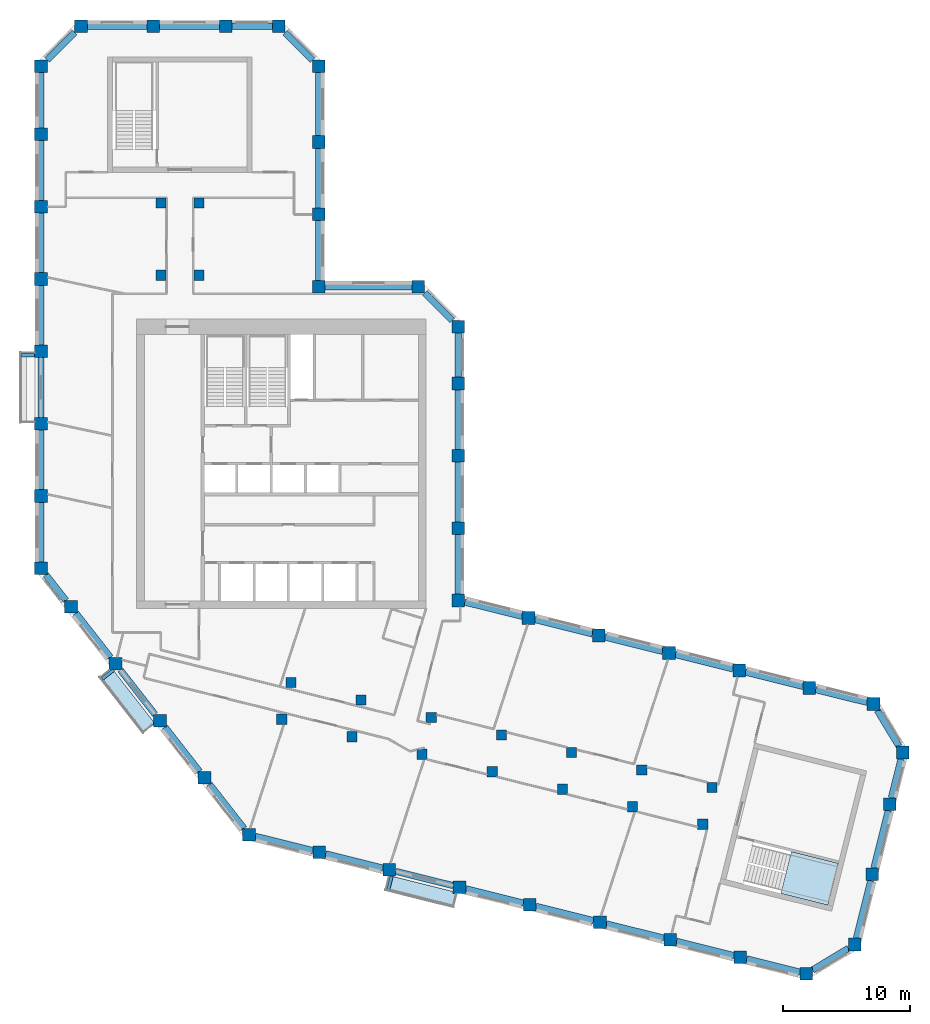
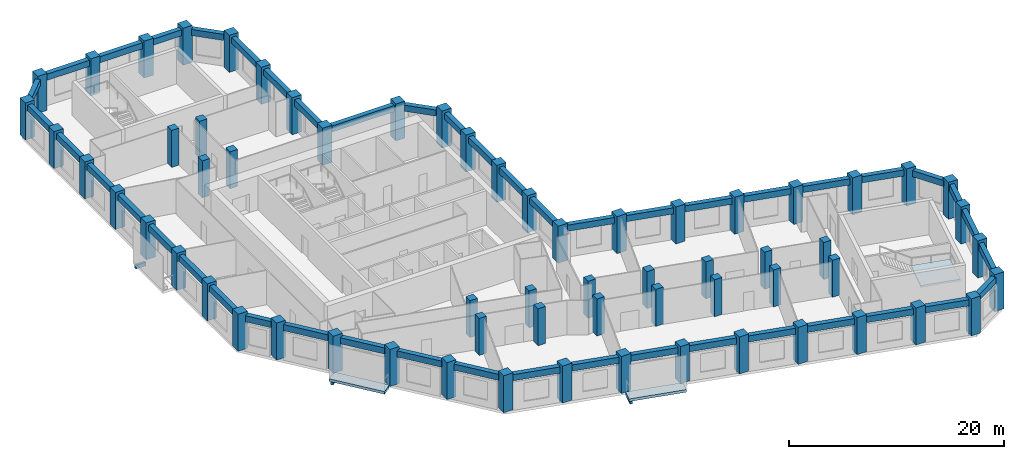
# One storey, part 1 of 9: 63 columns, 48 beams, 3 slabs, 1 element without a shape of its own.
"""IFC4 building model written with IfcOpenShell, lengths in metres."""

from ifc_helpers import new_model, si_unit, direction, frame, origin, origin_2d, place, context, subcontext, project, spatial, polyline, rectangle, outline, extrude, material, layer, layer_set, material_profile, profile_set, type_object, element, aggregate, save


model = new_model("IFC4")

# Units and contexts
model_context = context("Model", 3, precision=1e-05, world=origin(), true_north=direction((0.0, 1.0)))
body_context = subcontext(model_context, "Body", "Model", "MODEL_VIEW")
ifc_project = project(units=[si_unit("LENGTHUNIT", "METRE"), si_unit("AREAUNIT", "SQUARE_METRE"), si_unit("VOLUMEUNIT", "CUBIC_METRE"), si_unit("PLANEANGLEUNIT", "RADIAN"), si_unit("MASSUNIT", "GRAM", prefix="KILO")], contexts=[model_context])

# Site, building, storey
site_placement = place(None, origin())
site = spatial("IfcSite", under=ifc_project, at=site_placement, CompositionType="ELEMENT")
building_placement = place(site_placement, origin())
building = spatial("IfcBuilding", under=site, at=building_placement, Name="Meshkara Civic Tower", CompositionType="ELEMENT")
storey_placement = place(building_placement, frame((0.0, 0.0, 336.0)))
storey = spatial("IfcBuildingStorey", under=building, at=storey_placement, Name="L77", CompositionType="ELEMENT", Elevation=336.0)

# Columns
ifc_material_1 = material(Name="Concrete C60", Category="concrete")
ifc_material_profile_1 = material_profile(ifc_material_1, rectangle(XDim=0.800048828125, YDim=0.800048828125, at=origin_2d()))
ifc_profile_set_1 = profile_set([ifc_material_profile_1], Name="Concrete C60")
column_type_1 = type_object("IfcColumnType", Name="Interior column RC 800x800 C60", PredefinedType="COLUMN", material=ifc_profile_set_1)
for number, where, z_axis, x_axis, name in (
    (1, (9.89990234375, 40.35009765625, 0.0), (0.0, 0.0, 1.0), (1.0, 0.0, 0.0), "Column SA1-04 L77"),
    (2, (9.89990234375, 46.050048828125, 0.0), (0.0, 0.0, 1.0), (1.0, 0.0, 0.0), "Column SA1-05 L77"),
    (3, (12.89990234375, 40.35009765625, 0.0), (0.0, 0.0, 1.0), (1.0, 0.0, 0.0), "Column SA2-04 L77"),
    (4, (12.89990234375, 46.050048828125, 0.0), (0.0, 0.0, 1.0), (1.0, 0.0, 0.0), "Column SA2-05 L77"),
    (5, (19.424072265625, 5.360107421875, 0.0), (0.0, 0.0, 1.0), (1.0, 0.0, 0.0), "Column SB1-00 L77"),
    (6, (24.9541015625, 3.98095703125, 0.0), (0.0, 0.0, 1.0), (1.0, 0.0, 0.0), "Column SB1-01 L77"),
    (7, (30.485107421875, 2.60205078125, 0.0), (0.0, 0.0, 1.0), (1.0, 0.0, 0.0), "Column SB1-02 L77"),
    (8, (36.01611328125, 1.222900390625, 0.0), (0.0, 0.0, 1.0), (1.0, 0.0, 0.0), "Column SB1-03 L77"),
    (9, (41.5458984375, -0.156005859375, 0.0), (0.0, 0.0, 1.0), (1.0, 0.0, 0.0), "Column SB1-04 L77"),
    (10, (47.076904296875, -1.534912109375, 0.0), (0.0, 0.0, 1.0), (1.0, 0.0, 0.0), "Column SB1-05 L77"),
    (11, (52.60791015625, -2.9140625, 0.0), (0.0, 0.0, 1.0), (1.0, 0.0, 0.0), "Column SB1-06 L77"),
    (12, (20.14892578125, 8.27099609375, 0.0), (0.0, 0.0, 1.0), (1.0, 0.0, 0.0), "Column SB2-00 L77"),
    (13, (25.679931640625, 6.89208984375, 0.0), (0.0, 0.0, 1.0), (1.0, 0.0, 0.0), "Column SB2-01 L77"),
    (14, (31.2109375, 5.512939453125, 0.0), (0.0, 0.0, 1.0), (1.0, 0.0, 0.0), "Column SB2-02 L77"),
    (15, (36.741943359375, 4.134033203125, 0.0), (0.0, 0.0, 1.0), (1.0, 0.0, 0.0), "Column SB2-03 L77"),
    (16, (42.27197265625, 2.7548828125, 0.0), (0.0, 0.0, 1.0), (1.0, 0.0, 0.0), "Column SB2-04 L77"),
    (17, (47.802978515625, 1.3759765625, 0.0), (0.0, 0.0, 1.0), (1.0, 0.0, 0.0), "Column SB2-05 L77"),
    (18, (53.333984375, -0.0029296875, 0.0), (0.0, 0.0, 1.0), (1.0, 0.0, 0.0), "Column SB2-06 L77"),
):
    element("IfcColumn", number, at=place(storey_placement, frame(where, z_axis=z_axis, x_axis=x_axis)), inside=storey, type_object=column_type_1, Name=name, PredefinedType="COLUMN", context=body_context, shape_type="SweptSolid", body=[
        extrude(rectangle(XDim=0.800048828125, YDim=0.800048828125, at=origin_2d()), origin(), (0.0, 0.0, 1.0), 4.199951171875),
    ])
ifc_material_2 = material(Name="Concrete C60", Category="concrete")
ifc_material_profile_2 = material_profile(ifc_material_2, rectangle(XDim=1.0, YDim=1.0, at=origin_2d()))
ifc_profile_set_2 = profile_set([ifc_material_profile_2], Name="Concrete C60")
column_type_2 = type_object("IfcColumnType", Name="Perimeter column RC 1000x1000 C60", PredefinedType="COLUMN", material=ifc_profile_set_2)
for number, where, z_axis, x_axis, name in (
    (19, (33.35009765625, 14.718994140625, 0.0), (0.0, 0.0, 1.0), (1.0, 0.0, 0.0), "Column HE00 L77"),
    (20, (33.35009765625, 20.4189453125, 0.0), (0.0, 0.0, 1.0), (1.0, 0.0, 0.0), "Column HE01 L77"),
    (21, (33.35009765625, 26.118896484375, 0.0), (0.0, 0.0, 1.0), (1.0, 0.0, 0.0), "Column HE02 L77"),
    (22, (33.35009765625, 31.819091796875, 0.0), (0.0, 0.0, 1.0), (1.0, 0.0, 0.0), "Column HE03 L77"),
    (23, (33.35009765625, 36.2939453125, 0.0), (0.0, 0.0, 1.0), (1.0, 0.0, 0.0), "Column HEE L77"),
    (24, (30.194091796875, 39.449951171875, 0.0), (0.0, 0.0, 1.0), (1.0, 0.0, 0.0), "Column HCeE L77"),
    (25, (22.35009765625, 39.449951171875, 0.0), (0.0, 0.0, 1.0), (1.0, 0.0, 0.0), "Column HN00 L77"),
    (26, (22.35009765625, 45.14990234375, 0.0), (0.0, 0.0, 1.0), (1.0, 0.0, 0.0), "Column AE01 L77"),
    (27, (22.35009765625, 50.85009765625, 0.0), (0.0, 0.0, 1.0), (1.0, 0.0, 0.0), "Column AE02 L77"),
    (28, (22.35009765625, 56.81396484375, 0.0), (0.0, 0.0, 1.0), (1.0, 0.0, 0.0), "Column AEEP4 L77"),
    (29, (19.194091796875, 59.969970703125, 0.0), (0.0, 0.0, 1.0), (1.0, 0.0, 0.0), "Column ATiEP4 L77"),
    (30, (3.60595703125, 59.969970703125, 0.0), (0.0, 0.0, 1.0), (1.0, 0.0, 0.0), "Column AT00-P4 L77"),
    (31, (9.305908203125, 59.969970703125, 0.0), (0.0, 0.0, 1.0), (1.0, 0.0, 0.0), "Column AT01-P4 L77"),
    (32, (15.006103515625, 59.969970703125, 0.0), (0.0, 0.0, 1.0), (1.0, 0.0, 0.0), "Column AT02-P4 L77"),
    (33, (0.449951171875, 56.81396484375, 0.0), (0.0, 0.0, 1.0), (1.0, 0.0, 0.0), "Column ATo00-P4 L77"),
    (34, (0.449951171875, 17.2548828125, 0.0), (0.0, 0.0, 1.0), (1.0, 0.0, 0.0), "Column AW00 L77"),
    (35, (0.449951171875, 22.955078125, 0.0), (0.0, 0.0, 1.0), (1.0, 0.0, 0.0), "Column AW01 L77"),
    (36, (0.449951171875, 28.655029296875, 0.0), (0.0, 0.0, 1.0), (1.0, 0.0, 0.0), "Column AW02 L77"),
    (37, (0.449951171875, 34.35498046875, 0.0), (0.0, 0.0, 1.0), (1.0, 0.0, 0.0), "Column AW03 L77"),
    (38, (0.449951171875, 40.054931640625, 0.0), (0.0, 0.0, 1.0), (1.0, 0.0, 0.0), "Column AW04 L77"),
    (39, (0.449951171875, 45.7548828125, 0.0), (0.0, 0.0, 1.0), (1.0, 0.0, 0.0), "Column AW05 L77"),
    (40, (0.449951171875, 51.455078125, 0.0), (0.0, 0.0, 1.0), (1.0, 0.0, 0.0), "Column AW06 L77"),
    (41, (16.85107421875, -3.738037109375, 0.0), (0.0, 0.0, 1.0), (1.0, 0.0, 0.0), "Column BOW00 L77"),
    (42, (13.342041015625, 0.75390625, 0.0), (0.0, 0.0, 1.0), (1.0, 0.0, 0.0), "Column BOW01 L77"),
    (43, (9.8330078125, 5.2451171875, 0.0), (0.0, 0.0, 1.0), (1.0, 0.0, 0.0), "Column BOW02 L77"),
    (44, (6.322998046875, 9.737060546875, 0.0), (0.0, 0.0, 1.0), (1.0, 0.0, 0.0), "Column BOW03 L77"),
    (45, (2.81396484375, 14.22900390625, 0.0), (0.0, 0.0, 1.0), (1.0, 0.0, 0.0), "Column BOW04 L77"),
    (46, (22.382080078125, -5.116943359375, 0.0), (0.0, 0.0, 1.0), (1.0, 0.0, 0.0), "Column BS01 L77"),
    (47, (27.912109375, -6.49609375, 0.0), (0.0, 0.0, 1.0), (1.0, 0.0, 0.0), "Column BS02 L77"),
    (48, (33.443115234375, -7.875, 0.0), (0.0, 0.0, 1.0), (1.0, 0.0, 0.0), "Column BS03 L77"),
    (49, (38.97412109375, -9.25390625, 0.0), (0.0, 0.0, 1.0), (1.0, 0.0, 0.0), "Column BS04 L77"),
    (50, (44.50390625, -10.633056640625, 0.0), (0.0, 0.0, 1.0), (1.0, 0.0, 0.0), "Column BS05-P4 L77"),
    (51, (50.034912109375, -12.011962890625, 0.0), (0.0, 0.0, 1.0), (1.0, 0.0, 0.0), "Column BS06-P4 L77"),
    (52, (55.56591796875, -13.389892578125, 0.0), (0.0, 0.0, 1.0), (1.0, 0.0, 0.0), "Column BS07 L77"),
    (53, (60.76611328125, -14.68701171875, 0.0), (0.0, 0.0, 1.0), (1.0, 0.0, 0.0), "Column BSEP4 L77"),
    (54, (64.591064453125, -12.386962890625, 0.0), (0.0, 0.0, 1.0), (1.0, 0.0, 0.0), "Column BToEP4 L77"),
    (55, (65.969970703125, -6.85595703125, 0.0), (0.0, 0.0, 1.0), (1.0, 0.0, 0.0), "Column BT01-P4 L77"),
    (56, (67.34912109375, -1.325927734375, 0.0), (0.0, 0.0, 1.0), (1.0, 0.0, 0.0), "Column BT02-P4 L77"),
    (57, (68.362060546875, 2.736083984375, 0.0), (0.0, 0.0, 1.0), (1.0, 0.0, 0.0), "Column BTEP4 L77"),
    (58, (66.06298828125, 6.56201171875, 0.0), (0.0, 0.0, 1.0), (1.0, 0.0, 0.0), "Column BTi00-P4 L77"),
    (59, (38.881103515625, 13.340087890625, 0.0), (0.0, 0.0, 1.0), (1.0, 0.0, 0.0), "Column BN01 L77"),
    (60, (44.410888671875, 11.9609375, 0.0), (0.0, 0.0, 1.0), (1.0, 0.0, 0.0), "Column BN02 L77"),
    (61, (49.94189453125, 10.58203125, 0.0), (0.0, 0.0, 1.0), (1.0, 0.0, 0.0), "Column BN03 L77"),
    (62, (55.472900390625, 9.202880859375, 0.0), (0.0, 0.0, 1.0), (1.0, 0.0, 0.0), "Column BN04 L77"),
    (63, (61.0029296875, 7.823974609375, 0.0), (0.0, 0.0, 1.0), (1.0, 0.0, 0.0), "Column BN05 L77"),
):
    element("IfcColumn", number, at=place(storey_placement, frame(where, z_axis=z_axis, x_axis=x_axis)), inside=storey, type_object=column_type_2, Name=name, PredefinedType="COLUMN", context=body_context, shape_type="SweptSolid", body=[
        extrude(rectangle(XDim=1.0, YDim=1.0, at=origin_2d()), origin(), (0.0, 0.0, 1.0), 4.199951171875),
    ])

# Beams
ifc_material_3 = material(Name="Concrete C50", Category="concrete")
ifc_material_profile_3 = material_profile(ifc_material_3, rectangle(XDim=0.25, YDim=0.39990234375, at=origin_2d()))
ifc_profile_set_3 = profile_set([ifc_material_profile_3], Name="Concrete C50")
beam_type_1 = type_object("IfcBeamType", Name="Balcony bracket beam RC 250x400 C50", PredefinedType="BEAM", material=ifc_profile_set_3)
beam_1_placement = place(storey_placement, frame((-0.044921875, 34.054931640625, -0.5), z_axis=(-1.0, 0.0, 0.0), x_axis=(0.0, -1.0, 0.0)))
element("IfcBeam", 64, at=beam_1_placement, inside=storey, type_object=beam_type_1, Name="Balcony bracket beam", PredefinedType="BEAM", context=body_context, shape_type="SweptSolid", body=[
    extrude(rectangle(XDim=0.25, YDim=0.39990234375, at=origin_2d()), origin(), (0.0, 0.0, 1.0), 1.05517578125),
])
beam_2_placement = place(storey_placement, frame((6.174072265625, 9.239990234375, -0.5), z_axis=(-0.788053970136, -0.615606156688, 0.0), x_axis=(0.615606156688, -0.788053970136, 0.0)))
element("IfcBeam", 65, at=beam_2_placement, inside=storey, type_object=beam_type_1, Name="Balcony bracket beam", PredefinedType="BEAM", context=body_context, shape_type="SweptSolid", body=[
    extrude(rectangle(XDim=0.25, YDim=0.39990234375, at=origin_2d()), origin(), (0.0, 0.0, 1.0), 1.12548828125),
])
beam_3_placement = place(storey_placement, frame((28.097900390625, -6.990966796875, -0.5), z_axis=(-0.242329403705, -0.970194032192, 0.0), x_axis=(0.970194032192, -0.242329403705, 0.0)))
element("IfcBeam", 66, at=beam_3_placement, inside=storey, type_object=beam_type_1, Name="Balcony bracket beam", PredefinedType="BEAM", context=body_context, shape_type="SweptSolid", body=[
    extrude(rectangle(XDim=0.25, YDim=0.39990234375, at=origin_2d()), origin(), (0.0, 0.0, 1.0), 1.1142578125),
])
ifc_material_4 = material(Name="Concrete C50", Category="concrete")
ifc_material_profile_4 = material_profile(ifc_material_4, rectangle(XDim=0.5, YDim=0.699951171875, at=origin_2d()))
ifc_profile_set_4 = profile_set([ifc_material_profile_4], Name="Concrete C50")
beam_type_2 = type_object("IfcBeamType", Name="Spandrel beam RC 500x700 C50", PredefinedType="BEAM", material=ifc_profile_set_4)
beam_4_placement = place(storey_placement, frame((60.5078125, 7.947509765625, 3.550048828125), z_axis=(-0.970286590806, 0.241958533023, 0.0), x_axis=(-0.241958533023, -0.970286590806, 0.0)))
element("IfcBeam", 67, at=beam_4_placement, inside=storey, type_object=beam_type_2, Name="Spandrel beam BN04-BN05", PredefinedType="BEAM", context=body_context, shape_type="SweptSolid", body=[
    extrude(rectangle(XDim=0.5, YDim=0.699951171875, at=origin_2d()), origin(), (0.0, 0.0, 1.0), 4.6787109375),
])
beam_5_placement = place(storey_placement, frame((54.977783203125, 9.326416015625, 3.550048828125), z_axis=(-0.970298806378, 0.241909541651, 0.0), x_axis=(-0.241909541651, -0.970298806378, 0.0)))
element("IfcBeam", 68, at=beam_5_placement, inside=storey, type_object=beam_type_2, Name="Spandrel beam BN03-BN04", PredefinedType="BEAM", context=body_context, shape_type="SweptSolid", body=[
    extrude(rectangle(XDim=0.5, YDim=0.699951171875, at=origin_2d()), origin(), (0.0, 0.0, 1.0), 4.6796875),
])
beam_6_placement = place(storey_placement, frame((49.447021484375, 10.70556640625, 3.550048828125), z_axis=(-0.970314102262, 0.241848181618, 0.0), x_axis=(-0.241848181618, -0.970314102262, 0.0)))
element("IfcBeam", 69, at=beam_6_placement, inside=storey, type_object=beam_type_2, Name="Spandrel beam BN02-BN03", PredefinedType="BEAM", context=body_context, shape_type="SweptSolid", body=[
    extrude(rectangle(XDim=0.5, YDim=0.699951171875, at=origin_2d()), origin(), (0.0, 0.0, 1.0), 4.679931640625),
])
beam_7_placement = place(storey_placement, frame((43.916015625, 12.08447265625, 3.550048828125), z_axis=(-0.970286590806, 0.241958533023, 0.0), x_axis=(-0.241958533023, -0.970286590806, 0.0)))
element("IfcBeam", 70, at=beam_7_placement, inside=storey, type_object=beam_type_2, Name="Spandrel beam BN01-BN02", PredefinedType="BEAM", context=body_context, shape_type="SweptSolid", body=[
    extrude(rectangle(XDim=0.5, YDim=0.699951171875, at=origin_2d()), origin(), (0.0, 0.0, 1.0), 4.6787109375),
])
beam_8_placement = place(storey_placement, frame((38.385986328125, 13.46337890625, 3.550048828125), z_axis=(-0.970298806378, 0.241909541651, 0.0), x_axis=(-0.241909541651, -0.970298806378, 0.0)))
element("IfcBeam", 71, at=beam_8_placement, inside=storey, type_object=beam_type_2, Name="Spandrel beam BN01-HE00", PredefinedType="BEAM", context=body_context, shape_type="SweptSolid", body=[
    extrude(rectangle(XDim=0.5, YDim=0.699951171875, at=origin_2d()), origin(), (0.0, 0.0, 1.0), 4.6796875),
])
for number, where, z_axis, x_axis, name in (
    (72, (33.35009765625, 15.214111328125, 3.550048828125), (0.0, 1.0, 0.0), (-1.0, 0.0, 0.0), "Spandrel beam HE00-HE01"),
    (73, (33.35009765625, 20.9140625, 3.550048828125), (0.0, 1.0, 0.0), (-1.0, 0.0, 0.0), "Spandrel beam HE01-HE02"),
    (74, (33.35009765625, 26.614013671875, 3.550048828125), (0.0, 1.0, 0.0), (-1.0, 0.0, 0.0), "Spandrel beam HE02-HE03"),
):
    element("IfcBeam", number, at=place(storey_placement, frame(where, z_axis=z_axis, x_axis=x_axis)), inside=storey, type_object=beam_type_2, Name=name, PredefinedType="BEAM", context=body_context, shape_type="SweptSolid", body=[
        extrude(rectangle(XDim=0.5, YDim=0.699951171875, at=origin_2d()), origin(), (0.0, 0.0, 1.0), 4.7099609375),
    ])
beam_9_placement = place(storey_placement, frame((33.35009765625, 32.31396484375, 3.550048828125), z_axis=(0.0, 1.0, 0.0), x_axis=(-1.0, 0.0, 0.0)))
element("IfcBeam", 75, at=beam_9_placement, inside=storey, type_object=beam_type_2, Name="Spandrel beam HE03-HEE", PredefinedType="BEAM", context=body_context, shape_type="SweptSolid", body=[
    extrude(rectangle(XDim=0.5, YDim=0.699951171875, at=origin_2d()), origin(), (0.0, 0.0, 1.0), 3.485107421875),
])
beam_10_placement = place(storey_placement, frame((32.853515625, 36.79052734375, 3.550048828125), z_axis=(-0.707106781187, 0.707106781187, 0.0), x_axis=(-0.707106781187, -0.707106781187, 0.0)))
element("IfcBeam", 76, at=beam_10_placement, inside=storey, type_object=beam_type_2, Name="Spandrel beam HCeE-HEE", PredefinedType="BEAM", context=body_context, shape_type="SweptSolid", body=[
    extrude(rectangle(XDim=0.5, YDim=0.699951171875, at=origin_2d()), origin(), (0.0, 0.0, 1.0), 3.05908203125),
])
beam_11_placement = place(storey_placement, frame((29.698974609375, 39.449951171875, 3.550048828125), z_axis=(-1.0, 0.0, 0.0), x_axis=(0.0, -1.0, 0.0)))
element("IfcBeam", 77, at=beam_11_placement, inside=storey, type_object=beam_type_2, Name="Spandrel beam HCeE-HN00", PredefinedType="BEAM", context=body_context, shape_type="SweptSolid", body=[
    extrude(rectangle(XDim=0.5, YDim=0.699951171875, at=origin_2d()), origin(), (0.0, 0.0, 1.0), 6.85400390625),
])
for number, where, z_axis, x_axis, name in (
    (78, (22.35009765625, 39.945068359375, 3.550048828125), (0.0, 1.0, 0.0), (-1.0, 0.0, 0.0), "Spandrel beam AE01-HN00"),
    (79, (22.35009765625, 45.64501953125, 3.550048828125), (0.0, 1.0, 0.0), (-1.0, 0.0, 0.0), "Spandrel beam AE01-AE02"),
):
    element("IfcBeam", number, at=place(storey_placement, frame(where, z_axis=z_axis, x_axis=x_axis)), inside=storey, type_object=beam_type_2, Name=name, PredefinedType="BEAM", context=body_context, shape_type="SweptSolid", body=[
        extrude(rectangle(XDim=0.5, YDim=0.699951171875, at=origin_2d()), origin(), (0.0, 0.0, 1.0), 4.7099609375),
    ])
beam_12_placement = place(storey_placement, frame((22.35009765625, 51.344970703125, 3.550048828125), z_axis=(0.0, 1.0, 0.0), x_axis=(-1.0, 0.0, 0.0)))
element("IfcBeam", 80, at=beam_12_placement, inside=storey, type_object=beam_type_2, Name="Spandrel beam AE02-AEEP4", PredefinedType="BEAM", context=body_context, shape_type="SweptSolid", body=[
    extrude(rectangle(XDim=0.5, YDim=0.699951171875, at=origin_2d()), origin(), (0.0, 0.0, 1.0), 4.97412109375),
])
beam_13_placement = place(storey_placement, frame((21.853515625, 57.310546875, 3.550048828125), z_axis=(-0.707146686758, 0.707066873363, 0.0), x_axis=(-0.707066873363, -0.707146686758, 0.0)))
element("IfcBeam", 81, at=beam_13_placement, inside=storey, type_object=beam_type_2, Name="Spandrel beam AEEP4-ATiEP4", PredefinedType="BEAM", context=body_context, shape_type="SweptSolid", body=[
    extrude(rectangle(XDim=0.5, YDim=0.699951171875, at=origin_2d()), origin(), (0.0, 0.0, 1.0), 3.058837890625),
])
beam_14_placement = place(storey_placement, frame((18.698974609375, 59.969970703125, 3.550048828125), z_axis=(-1.0, 0.0, 0.0), x_axis=(0.0, -1.0, 0.0)))
element("IfcBeam", 82, at=beam_14_placement, inside=storey, type_object=beam_type_2, Name="Spandrel beam AT02-P4-ATiEP4", PredefinedType="BEAM", context=body_context, shape_type="SweptSolid", body=[
    extrude(rectangle(XDim=0.5, YDim=0.699951171875, at=origin_2d()), origin(), (0.0, 0.0, 1.0), 3.197998046875),
])
for number, where, z_axis, x_axis, name in (
    (83, (14.510986328125, 59.969970703125, 3.550048828125), (-1.0, 0.0, 0.0), (0.0, -1.0, 0.0), "Spandrel beam AT01-P4-AT02-P4"),
    (84, (8.81103515625, 59.969970703125, 3.550048828125), (-1.0, 0.0, 0.0), (0.0, -1.0, 0.0), "Spandrel beam AT00-P4-AT01-P4"),
):
    element("IfcBeam", number, at=place(storey_placement, frame(where, z_axis=z_axis, x_axis=x_axis)), inside=storey, type_object=beam_type_2, Name=name, PredefinedType="BEAM", context=body_context, shape_type="SweptSolid", body=[
        extrude(rectangle(XDim=0.5, YDim=0.699951171875, at=origin_2d()), origin(), (0.0, 0.0, 1.0), 4.7099609375),
    ])
beam_15_placement = place(storey_placement, frame((3.109619140625, 59.473388671875, 3.550048828125), z_axis=(-0.707146686758, -0.707066873363, 0.0), x_axis=(0.707066873363, -0.707146686758, 0.0)))
element("IfcBeam", 85, at=beam_15_placement, inside=storey, type_object=beam_type_2, Name="Spandrel beam AT00-P4-ATo00-P4", PredefinedType="BEAM", context=body_context, shape_type="SweptSolid", body=[
    extrude(rectangle(XDim=0.5, YDim=0.699951171875, at=origin_2d()), origin(), (0.0, 0.0, 1.0), 3.058837890625),
])
beam_16_placement = place(storey_placement, frame((0.449951171875, 56.319091796875, 3.550048828125), z_axis=(0.0, -1.0, 0.0), x_axis=(1.0, 0.0, 0.0)))
element("IfcBeam", 86, at=beam_16_placement, inside=storey, type_object=beam_type_2, Name="Spandrel beam ATo00-P4-AW06", PredefinedType="BEAM", context=body_context, shape_type="SweptSolid", body=[
    extrude(rectangle(XDim=0.5, YDim=0.699951171875, at=origin_2d()), origin(), (0.0, 0.0, 1.0), 4.369140625),
])
for number, where, z_axis, x_axis, name in (
    (87, (0.449951171875, 50.9599609375, 3.550048828125), (0.0, -1.0, 0.0), (1.0, 0.0, 0.0), "Spandrel beam AW05-AW06"),
    (88, (0.449951171875, 45.260009765625, 3.550048828125), (0.0, -1.0, 0.0), (1.0, 0.0, 0.0), "Spandrel beam AW04-AW05"),
    (89, (0.449951171875, 39.56005859375, 3.550048828125), (0.0, -1.0, 0.0), (1.0, 0.0, 0.0), "Spandrel beam AW03-AW04"),
):
    element("IfcBeam", number, at=place(storey_placement, frame(where, z_axis=z_axis, x_axis=x_axis)), inside=storey, type_object=beam_type_2, Name=name, PredefinedType="BEAM", context=body_context, shape_type="SweptSolid", body=[
        extrude(rectangle(XDim=0.5, YDim=0.699951171875, at=origin_2d()), origin(), (0.0, 0.0, 1.0), 4.7099609375),
    ])
beam_17_placement = place(storey_placement, frame((0.449951171875, 33.860107421875, 3.550048828125), z_axis=(0.0, -1.0, 0.0), x_axis=(1.0, 0.0, 0.0)))
element("IfcBeam", 90, at=beam_17_placement, inside=storey, type_object=beam_type_2, Name="Spandrel beam AW02-AW03", PredefinedType="BEAM", context=body_context, shape_type="SweptSolid", body=[
    extrude(rectangle(XDim=0.5, YDim=0.699951171875, at=origin_2d()), origin(), (0.0, 0.0, 1.0), 4.710205078125),
])
for number, where, z_axis, x_axis, name in (
    (91, (0.449951171875, 28.159912109375, 3.550048828125), (0.0, -1.0, 0.0), (1.0, 0.0, 0.0), "Spandrel beam AW01-AW02"),
    (92, (0.449951171875, 22.4599609375, 3.550048828125), (0.0, -1.0, 0.0), (1.0, 0.0, 0.0), "Spandrel beam AW00-AW01"),
):
    element("IfcBeam", number, at=place(storey_placement, frame(where, z_axis=z_axis, x_axis=x_axis)), inside=storey, type_object=beam_type_2, Name=name, PredefinedType="BEAM", context=body_context, shape_type="SweptSolid", body=[
        extrude(rectangle(XDim=0.5, YDim=0.699951171875, at=origin_2d()), origin(), (0.0, 0.0, 1.0), 4.7099609375),
    ])
beam_18_placement = place(storey_placement, frame((0.83740234375, 16.7587890625, 3.550048828125), z_axis=(0.615713794912, -0.787969874269, 0.0), x_axis=(0.787969874269, 0.615713794912, 0.0)))
element("IfcBeam", 93, at=beam_18_placement, inside=storey, type_object=beam_type_2, Name="Spandrel beam AW00-BOW04", PredefinedType="BEAM", context=body_context, shape_type="SweptSolid", body=[
    extrude(rectangle(XDim=0.5, YDim=0.699951171875, at=origin_2d()), origin(), (0.0, 0.0, 1.0), 2.580810546875),
])
beam_19_placement = place(storey_placement, frame((3.201416015625, 13.73291015625, 3.550048828125), z_axis=(0.615636574491, -0.788030207637, 0.0), x_axis=(0.788030207637, 0.615636574491, 0.0)))
element("IfcBeam", 94, at=beam_19_placement, inside=storey, type_object=beam_type_2, Name="Spandrel beam BOW03-BOW04", PredefinedType="BEAM", context=body_context, shape_type="SweptSolid", body=[
    extrude(rectangle(XDim=0.5, YDim=0.699951171875, at=origin_2d()), origin(), (0.0, 0.0, 1.0), 4.441162109375),
])
beam_20_placement = place(storey_placement, frame((6.710693359375, 9.240966796875, 3.550048828125), z_axis=(0.615704842432, -0.787976869588, 0.0), x_axis=(0.787976869588, 0.615704842432, 0.0)))
element("IfcBeam", 95, at=beam_20_placement, inside=storey, type_object=beam_type_2, Name="Spandrel beam BOW02-BOW03", PredefinedType="BEAM", context=body_context, shape_type="SweptSolid", body=[
    extrude(rectangle(XDim=0.5, YDim=0.699951171875, at=origin_2d()), origin(), (0.0, 0.0, 1.0), 4.44140625),
])
beam_21_placement = place(storey_placement, frame((10.220703125, 4.748779296875, 3.550048828125), z_axis=(0.615674985547, -0.788000198078, 0.0), x_axis=(0.788000198078, 0.615674985547, 0.0)))
element("IfcBeam", 96, at=beam_21_placement, inside=storey, type_object=beam_type_2, Name="Spandrel beam BOW01-BOW02", PredefinedType="BEAM", context=body_context, shape_type="SweptSolid", body=[
    extrude(rectangle(XDim=0.5, YDim=0.699951171875, at=origin_2d()), origin(), (0.0, 0.0, 1.0), 4.440185546875),
])
beam_22_placement = place(storey_placement, frame((13.7294921875, 0.2578125, 3.550048828125), z_axis=(0.615602435322, -0.788056877151, 0.0), x_axis=(0.788056877151, 0.615602435322, 0.0)))
element("IfcBeam", 97, at=beam_22_placement, inside=storey, type_object=beam_type_2, Name="Spandrel beam BOW00-BOW01", PredefinedType="BEAM", context=body_context, shape_type="SweptSolid", body=[
    extrude(rectangle(XDim=0.5, YDim=0.699951171875, at=origin_2d()), origin(), (0.0, 0.0, 1.0), 4.44091796875),
])
beam_23_placement = place(storey_placement, frame((17.34619140625, -3.861572265625, 3.550048828125), z_axis=(0.970311050729, -0.24186042428, 0.0), x_axis=(0.24186042428, 0.970311050729, 0.0)))
element("IfcBeam", 98, at=beam_23_placement, inside=storey, type_object=beam_type_2, Name="Spandrel beam BOW00-BS01", PredefinedType="BEAM", context=body_context, shape_type="SweptSolid", body=[
    extrude(rectangle(XDim=0.5, YDim=0.699951171875, at=origin_2d()), origin(), (0.0, 0.0, 1.0), 4.6796875),
])
beam_24_placement = place(storey_placement, frame((22.877197265625, -5.240478515625, 3.550048828125), z_axis=(0.970286590806, -0.241958533023, 0.0), x_axis=(0.241958533023, 0.970286590806, 0.0)))
element("IfcBeam", 99, at=beam_24_placement, inside=storey, type_object=beam_type_2, Name="Spandrel beam BS01-BS02", PredefinedType="BEAM", context=body_context, shape_type="SweptSolid", body=[
    extrude(rectangle(XDim=0.5, YDim=0.699951171875, at=origin_2d()), origin(), (0.0, 0.0, 1.0), 4.6787109375),
])
for number, where, z_axis, x_axis, name in (
    (100, (28.406982421875, -6.619384765625, 3.550048828125), (0.970301859111, -0.241897296812, 0.0), (0.241897296812, 0.970301859111, 0.0), "Spandrel beam BS02-BS03"),
    (101, (33.93798828125, -7.99853515625, 3.550048828125), (0.970301859111, -0.241897296812, 0.0), (0.241897296812, 0.970301859111, 0.0), "Spandrel beam BS03-BS04"),
):
    element("IfcBeam", number, at=place(storey_placement, frame(where, z_axis=z_axis, x_axis=x_axis)), inside=storey, type_object=beam_type_2, Name=name, PredefinedType="BEAM", context=body_context, shape_type="SweptSolid", body=[
        extrude(rectangle(XDim=0.5, YDim=0.699951171875, at=origin_2d()), origin(), (0.0, 0.0, 1.0), 4.679931640625),
    ])
beam_25_placement = place(storey_placement, frame((39.468994140625, -9.37744140625, 3.550048828125), z_axis=(0.970286590806, -0.241958533023, 0.0), x_axis=(0.241958533023, 0.970286590806, 0.0)))
element("IfcBeam", 102, at=beam_25_placement, inside=storey, type_object=beam_type_2, Name="Spandrel beam BS04-BS05-P4", PredefinedType="BEAM", context=body_context, shape_type="SweptSolid", body=[
    extrude(rectangle(XDim=0.5, YDim=0.699951171875, at=origin_2d()), origin(), (0.0, 0.0, 1.0), 4.6787109375),
])
beam_26_placement = place(storey_placement, frame((44.9990234375, -10.756591796875, 3.550048828125), z_axis=(0.970311050729, -0.24186042428, 0.0), x_axis=(0.24186042428, 0.970311050729, 0.0)))
element("IfcBeam", 103, at=beam_26_placement, inside=storey, type_object=beam_type_2, Name="Spandrel beam BS05-P4-BS06-P4", PredefinedType="BEAM", context=body_context, shape_type="SweptSolid", body=[
    extrude(rectangle(XDim=0.5, YDim=0.699951171875, at=origin_2d()), origin(), (0.0, 0.0, 1.0), 4.6796875),
])
beam_27_placement = place(storey_placement, frame((50.530029296875, -12.135498046875, 3.550048828125), z_axis=(0.970347770718, -0.241713061011, 0.0), x_axis=(0.241713061011, 0.970347770718, 0.0)))
element("IfcBeam", 104, at=beam_27_placement, inside=storey, type_object=beam_type_2, Name="Spandrel beam BS06-P4-BS07", PredefinedType="BEAM", context=body_context, shape_type="SweptSolid", body=[
    extrude(rectangle(XDim=0.5, YDim=0.699951171875, at=origin_2d()), origin(), (0.0, 0.0, 1.0), 4.679443359375),
])
beam_28_placement = place(storey_placement, frame((56.06103515625, -13.513427734375, 3.550048828125), z_axis=(0.970274749447, -0.242006013533, 0.0), x_axis=(0.242006013533, 0.970274749447, 0.0)))
element("IfcBeam", 105, at=beam_28_placement, inside=storey, type_object=beam_type_2, Name="Spandrel beam BS07-BSEP4", PredefinedType="BEAM", context=body_context, shape_type="SweptSolid", body=[
    extrude(rectangle(XDim=0.5, YDim=0.699951171875, at=origin_2d()), origin(), (0.0, 0.0, 1.0), 4.3388671875),
])
beam_29_placement = place(storey_placement, frame((61.26171875, -14.388916015625, 3.550048828125), z_axis=(0.856990838189, 0.515331643953, 0.0), x_axis=(-0.515331643953, 0.856990838189, 0.0)))
element("IfcBeam", 106, at=beam_29_placement, inside=storey, type_object=beam_type_2, Name="Spandrel beam BSEP4-BToEP4", PredefinedType="BEAM", context=body_context, shape_type="SweptSolid", body=[
    extrude(rectangle(XDim=0.5, YDim=0.699951171875, at=origin_2d()), origin(), (0.0, 0.0, 1.0), 3.306396484375),
])
beam_30_placement = place(storey_placement, frame((64.714599609375, -11.891845703125, 3.550048828125), z_axis=(0.24186042428, 0.970311050729, 0.0), x_axis=(-0.970311050729, 0.24186042428, 0.0)))
element("IfcBeam", 107, at=beam_30_placement, inside=storey, type_object=beam_type_2, Name="Spandrel beam BT01-P4-BToEP4", PredefinedType="BEAM", context=body_context, shape_type="SweptSolid", body=[
    extrude(rectangle(XDim=0.5, YDim=0.699951171875, at=origin_2d()), origin(), (0.0, 0.0, 1.0), 4.6796875),
])
beam_31_placement = place(storey_placement, frame((66.093505859375, -6.36083984375, 3.550048828125), z_axis=(0.241958533023, 0.970286590806, 0.0), x_axis=(-0.970286590806, 0.241958533023, 0.0)))
element("IfcBeam", 108, at=beam_31_placement, inside=storey, type_object=beam_type_2, Name="Spandrel beam BT01-P4-BT02-P4", PredefinedType="BEAM", context=body_context, shape_type="SweptSolid", body=[
    extrude(rectangle(XDim=0.5, YDim=0.699951171875, at=origin_2d()), origin(), (0.0, 0.0, 1.0), 4.6787109375),
])
beam_32_placement = place(storey_placement, frame((67.472412109375, -0.830810546875, 3.550048828125), z_axis=(0.241991235859, 0.970278435176, 0.0), x_axis=(-0.970278435176, 0.241991235859, 0.0)))
element("IfcBeam", 109, at=beam_32_placement, inside=storey, type_object=beam_type_2, Name="Spandrel beam BT02-P4-BTEP4", PredefinedType="BEAM", context=body_context, shape_type="SweptSolid", body=[
    extrude(rectangle(XDim=0.5, YDim=0.699951171875, at=origin_2d()), origin(), (0.0, 0.0, 1.0), 3.165771484375),
])
beam_33_placement = place(storey_placement, frame((68.064208984375, 3.231689453125, 3.550048828125), z_axis=(-0.515060169575, 0.8571540245, 0.0), x_axis=(-0.8571540245, -0.515060169575, 0.0)))
element("IfcBeam", 110, at=beam_33_placement, inside=storey, type_object=beam_type_2, Name="Spandrel beam BTEP4-BTi00-P4", PredefinedType="BEAM", context=body_context, shape_type="SweptSolid", body=[
    extrude(rectangle(XDim=0.5, YDim=0.699951171875, at=origin_2d()), origin(), (0.0, 0.0, 1.0), 3.30712890625),
])
beam_34_placement = place(storey_placement, frame((65.56787109375, 6.685546875, 3.550048828125), z_axis=(-0.970286131512, 0.241960374847, 0.0), x_axis=(-0.241960374847, -0.970286131512, 0.0)))
element("IfcBeam", 111, at=beam_34_placement, inside=storey, type_object=beam_type_2, Name="Spandrel beam BN05-BTi00-P4", PredefinedType="BEAM", context=body_context, shape_type="SweptSolid", body=[
    extrude(rectangle(XDim=0.5, YDim=0.699951171875, at=origin_2d()), origin(), (0.0, 0.0, 1.0), 4.1943359375),
])

# Slabs
ifc_material_5 = material(Name="Concrete C40", Category="concrete")
ifc_layer_1 = layer(ifc_material_5, 0.300048828125)
ifc_layer_set_1 = layer_set([ifc_layer_1], Name="BALCONY SLAB")
slab_type_1 = type_object("IfcSlabType", Name="BALCONY SLAB", PredefinedType="FLOOR", material=ifc_layer_set_1)
slab_1_placement = place(storey_placement, frame((0.0, 0.0, -0.300048828125)))
element("IfcSlab", 112, at=slab_1_placement, inside=storey, type_object=slab_type_1, Name="Balcony slab", PredefinedType="FLOOR", context=body_context, shape_type="SweptSolid", body=[
    extrude(outline(polyline([(8.49609375, 4.27587890625), (5.06005859375, 8.674072265625), (5.822998046875, 9.27001953125), (5.822998046875, 9.237060546875), (6.14306640625, 9.237060546875), (9.3330078125, 5.154052734375), (9.3330078125, 4.930908203125), (8.49609375, 4.27587890625)])), origin(), (0.0, 0.0, 1.0), 0.300048828125),
])
slab_2_placement = place(storey_placement, frame((0.0, 0.0, -0.300048828125)))
element("IfcSlab", 113, at=slab_2_placement, inside=storey, type_object=slab_type_1, Name="Balcony slab", PredefinedType="FLOOR", context=body_context, shape_type="SweptSolid", body=[
    extrude(outline(polyline([(32.986083984375, -9.4609375), (27.571044921875, -8.111083984375), (27.84912109375, -6.99609375), (28.05908203125, -6.99609375), (32.943115234375, -8.214111328125), (32.943115234375, -8.375), (33.256103515625, -8.375), (32.986083984375, -9.4609375)])), origin(), (0.0, 0.0, 1.0), 0.300048828125),
])

# Stair, slab
ifc_material_6 = material(Name="Precast concrete C40/50", Category="concrete")
stair_type = type_object("IfcStairType", Name="Exit stair half-turn 24 risers precast", PredefinedType="HALF_TURN_STAIR", material=ifc_material_6)
stair_placement = place(storey_placement, origin())
stair = element("IfcStair", 114, at=stair_placement, inside=storey, type_object=stair_type, Name="L77 exit stair B from L65", PredefinedType="HALF_TURN_STAIR")
ifc_material_7 = material(Name="Precast concrete C40/50", Category="concrete")
ifc_layer_2 = layer(ifc_material_7, 0.199951171875)
ifc_layer_set_2 = layer_set([ifc_layer_2], Name="Exit stair landing 200")
slab_type_2 = type_object("IfcSlabType", Name="Exit stair landing 200", PredefinedType="LANDING", material=ifc_layer_set_2)
slab_3_placement = place(storey_placement, frame((0.0, 0.0, 1.89990234375)))
slab_3 = element("IfcSlab", 115, at=slab_3_placement, type_object=slab_type_2, Name="ESB5 landing 1", PredefinedType="LANDING", context=body_context, shape_type="SweptSolid", body=[
    extrude(outline(polyline([(58.769775390625, -8.366943359375), (62.477783203125, -9.2919921875), (63.301025390625, -5.991943359375), (59.593017578125, -5.06689453125), (58.769775390625, -8.366943359375)])), origin(), (0.0, 0.0, 1.0), 0.2001953125),
])
aggregate(stair, [slab_3])

save(model, "model.ifc")
